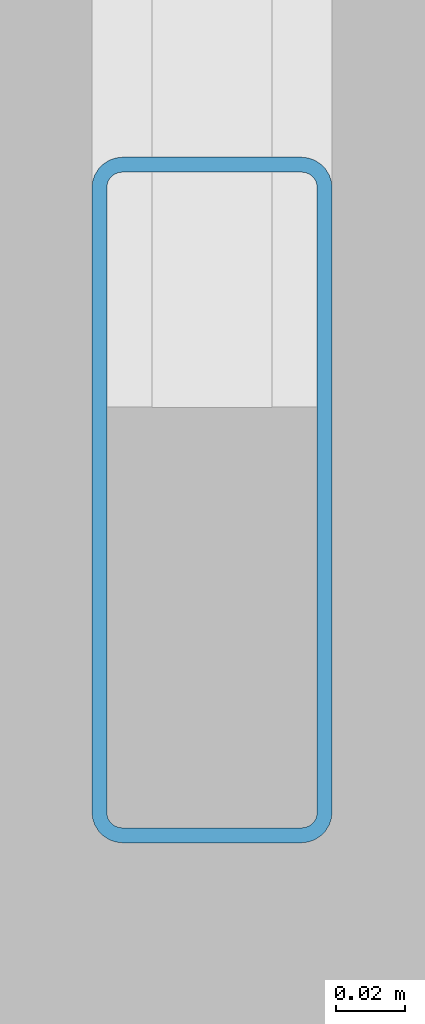
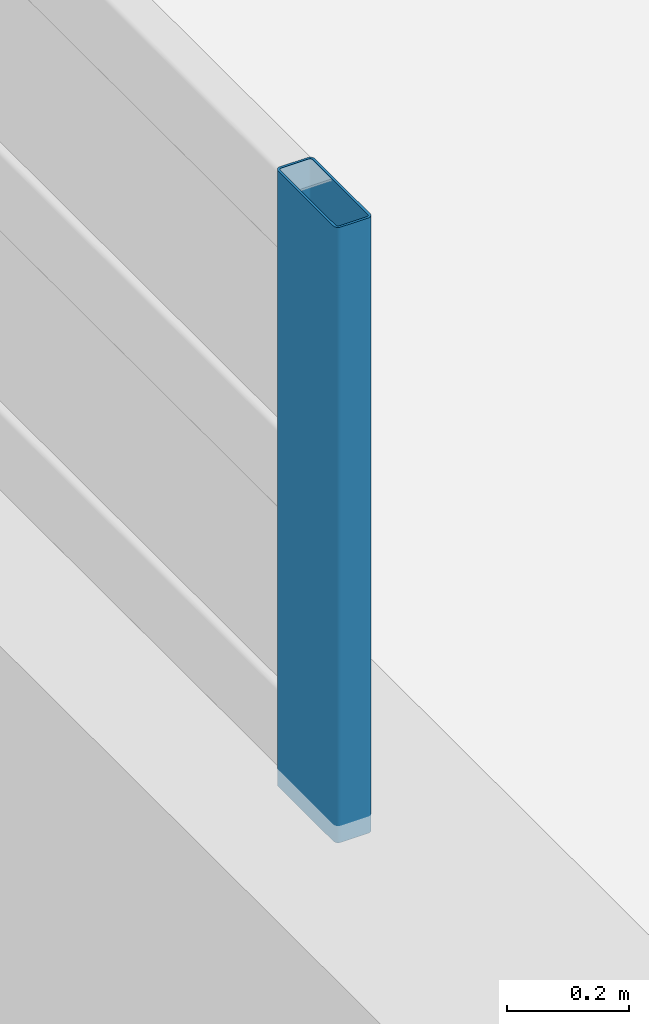
# One storey, part 108 of 197: 1 member, 1 element without a shape of its own.
"""IFC4 building model written with IfcOpenShell, lengths in metres."""

from ifc_helpers import new_model, si_unit, derived_unit, direction, frame, origin, origin_2d, place, context, subcontext, project, spatial, hollow_rectangle, extrude, material, layer, layer_set, material_profile, profile_set, type_object, element, aggregate, save


model = new_model("IFC4")

# Units and contexts
model_context = context("Model", 3, precision=1e-05, world=origin(), true_north=direction((0.0, 1.0)))
body_context = subcontext(model_context, "Body", "Model", "MODEL_VIEW")
ifc_project = project(units=[si_unit("LENGTHUNIT", "METRE"), si_unit("AREAUNIT", "SQUARE_METRE"), si_unit("VOLUMEUNIT", "CUBIC_METRE"), si_unit("PLANEANGLEUNIT", "RADIAN"), si_unit("MASSUNIT", "GRAM", prefix="KILO"), derived_unit("THERMALTRANSMITTANCEUNIT", [(si_unit("POWERUNIT", "WATT"), 1), (si_unit("LENGTHUNIT", "METRE"), -2), (si_unit("THERMODYNAMICTEMPERATUREUNIT", "KELVIN"), -1)])], contexts=[model_context])

# Site, building, storey
site_placement = place(None, origin())
site = spatial("IfcSite", under=ifc_project, at=site_placement, CompositionType="ELEMENT")
building_placement = place(site_placement, origin())
building = spatial("IfcBuilding", under=site, at=building_placement, Name="Almenara Railside Exhibition Hall", CompositionType="ELEMENT")
storey_placement = place(building_placement, frame((0.0, 0.0, 5.39990234375)))
storey = spatial("IfcBuildingStorey", under=building, at=storey_placement, Name="L01", CompositionType="ELEMENT", Elevation=5.39990234375)

# Curtain wall, member
ifc_material_1 = material(Name="Bronze-anodised aluminium and low-E double glazing", Category="aluminium")
ifc_layer = layer(ifc_material_1, 0.179931640625, Name="Bronze-anodised aluminium and low-E double glazing")
ifc_layer_set = layer_set([ifc_layer], Name="Bronze-anodised aluminium and low-E double glazing")
curtain_wall_type = type_object("IfcCurtainWallType", Name="East Hall Clerestory Curtain Wall 4400x2300", PredefinedType="NOTDEFINED", material=ifc_layer_set)
curtain_wall_placement = place(storey_placement, origin())
curtain_wall = element("IfcCurtainWall", 1, at=curtain_wall_placement, inside=storey, type_object=curtain_wall_type, Name="Curtain wall CW-CL3-059", PredefinedType="NOTDEFINED")
ifc_material_2 = material(Name="Bronze-anodised aluminium", Category="aluminium")
ifc_material_profile = material_profile(ifc_material_2, hollow_rectangle(XDim=0.070068359375, YDim=0.199951171875, WallThickness=0.00439453125, InnerFilletRadius=0.00439453125, OuterFilletRadius=0.009033203125, at=origin_2d()), Name="ALU-MUL 70x200x4.5")
ifc_profile_set = profile_set([ifc_material_profile], Name="Bronze-anodised aluminium")
member_type = type_object("IfcMemberType", Name="Curtain Wall Mullion 70x200x4.5", PredefinedType="MULLION", material=ifc_profile_set)
member_placement = place(storey_placement, frame((138.0, 63.8349609375, 5.4150390625), z_axis=(0.0, 0.0, 1.0), x_axis=(-1.0, 0.0, 0.0)))
member = element("IfcMember", 2, at=member_placement, type_object=member_type, Name="CW-CL3-059 mullion 1", PredefinedType="MULLION", context=body_context, shape_type="SweptSolid", body=[
    extrude(hollow_rectangle(XDim=0.070068359375, YDim=0.199951171875, WallThickness=0.00439453125, InnerFilletRadius=0.00439453125, OuterFilletRadius=0.009033203125, at=origin_2d()), origin(), (0.0, 0.0, 1.0), 1.235107421875),
])
aggregate(curtain_wall, [member])

save(model, "model.ifc")
